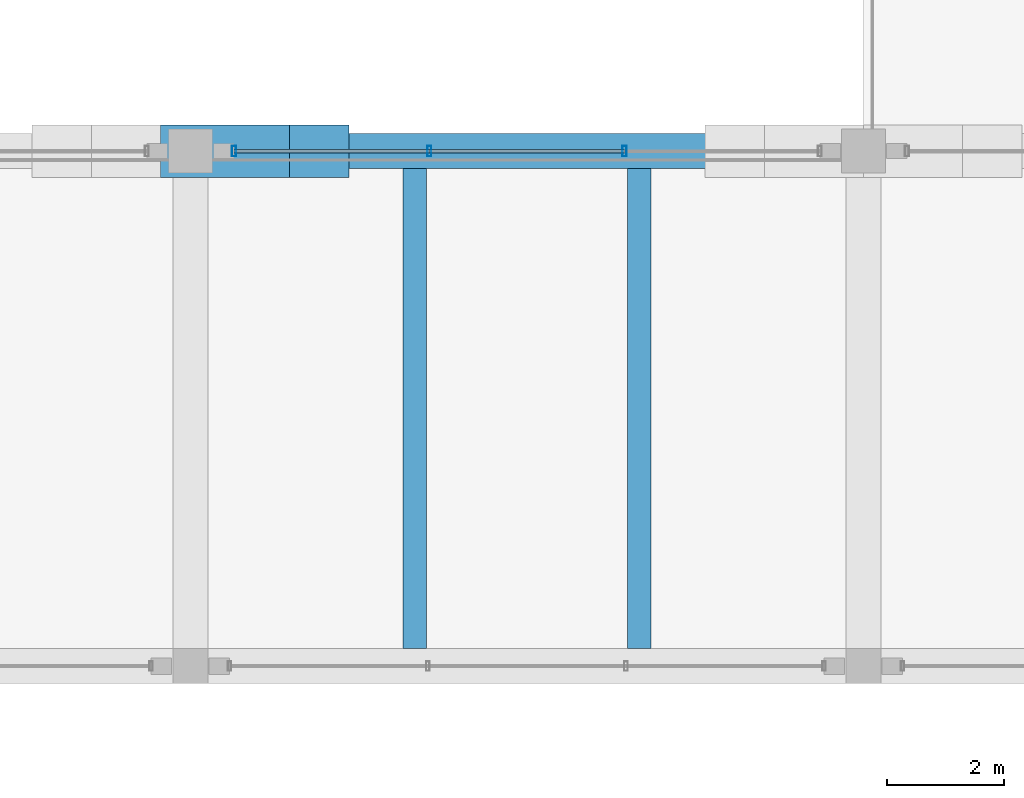
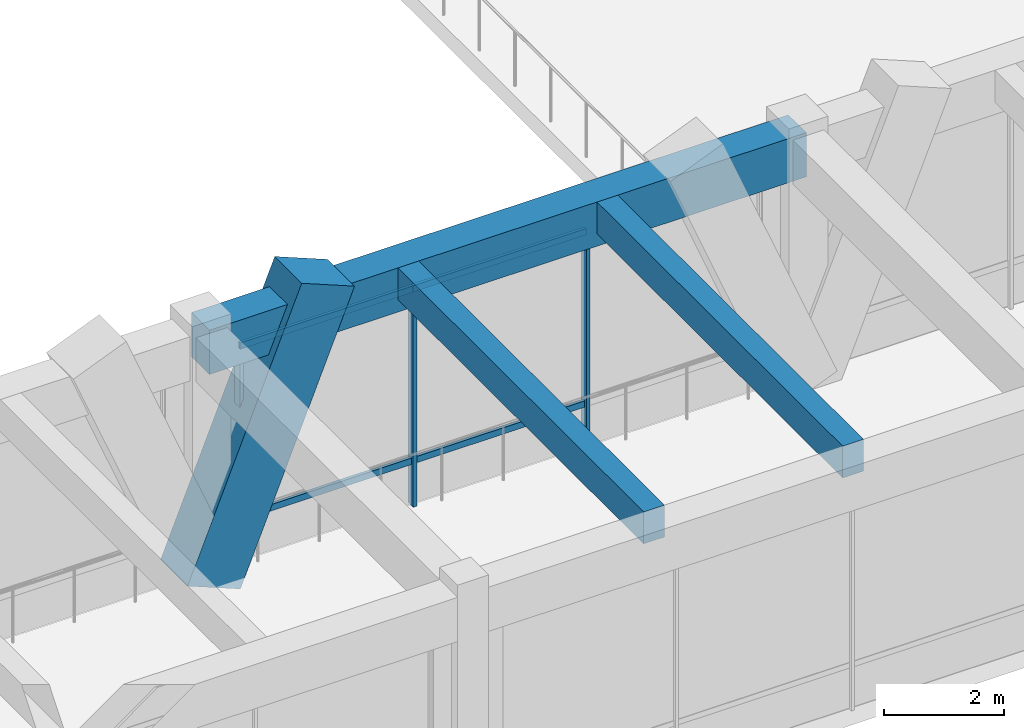
# One storey, part 13 of 148: 8 members, 3 beams, 1 element without a shape of its own.
"""IFC4 building model written with IfcOpenShell, lengths in metres."""

from ifc_helpers import new_model, si_unit, direction, frame, origin, origin_2d, place, context, subcontext, project, spatial, rectangle, hollow_rectangle, extrude, material, material_profile, profile_set, type_object, element, aggregate, save


model = new_model("IFC4")

# Units and contexts
model_context = context("Model", 3, precision=1e-05, world=origin(), true_north=direction((0.0, 1.0)))
body_context = subcontext(model_context, "Body", "Model", "MODEL_VIEW")
ifc_project = project(units=[si_unit("LENGTHUNIT", "METRE"), si_unit("AREAUNIT", "SQUARE_METRE"), si_unit("VOLUMEUNIT", "CUBIC_METRE"), si_unit("PLANEANGLEUNIT", "RADIAN"), si_unit("MASSUNIT", "GRAM", prefix="KILO")], contexts=[model_context])

# Site, building, storey
site_placement = place(None, origin())
site = spatial("IfcSite", under=ifc_project, at=site_placement, CompositionType="ELEMENT")
building_placement = place(site_placement, origin())
building = spatial("IfcBuilding", under=site, at=building_placement, Name="Ologun Quay Terminus", CompositionType="ELEMENT")
storey_placement = place(building_placement, frame((0.0, 0.0, 8.39990234375)))
storey = spatial("IfcBuildingStorey", under=building, at=storey_placement, Name="L02", CompositionType="ELEMENT", Elevation=8.39990234375)

# Curtain wall, members
ifc_material_1 = material(Name="Aluminium 6063-T6", Category="aluminium")
curtain_wall_type = type_object("IfcCurtainWallType", Name="Train Shed South Clerestory Curtain Wall 10700x5050", PredefinedType="USERDEFINED", material=ifc_material_1)
curtain_wall_placement = place(storey_placement, origin())
curtain_wall = element("IfcCurtainWall", 1, at=curtain_wall_placement, inside=storey, type_object=curtain_wall_type, Name="CW-08 Curtain Wall CW-L02-048", ObjectType="UNITISED CURTAIN WALL", PredefinedType="USERDEFINED")
ifc_material_2 = material(Name="Aluminium 6063-T6", Category="aluminium")
ifc_material_profile_1 = material_profile(ifc_material_2, hollow_rectangle(XDim=0.070068359375, YDim=0.179931640625, WallThickness=0.0048828125, at=origin_2d()), Name="ALU 180x70x5")
ifc_profile_set_1 = profile_set([ifc_material_profile_1], Name="Aluminium 6063-T6")
member_type_1 = type_object("IfcMemberType", Name="Concourse Clerestory Mullion 180x70", PredefinedType="MULLION", material=ifc_profile_set_1)
member_1_placement = place(storey_placement, frame((23.7451171875, 36.0, 0.0), z_axis=(0.0, 0.0, 1.0), x_axis=(1.0, 0.0, 0.0)))
member_1 = element("IfcMember", 2, at=member_1_placement, type_object=member_type_1, Name="CW-L02-048 Mullion 1", PredefinedType="MULLION", context=body_context, shape_type="SweptSolid", body=[
    extrude(hollow_rectangle(XDim=0.070068359375, YDim=0.179931640625, WallThickness=0.0048828125, at=origin_2d()), origin(), (0.0, 0.0, 1.0), 5.10009765625),
])
member_2_placement = place(storey_placement, frame((27.081787109375, 36.0, 0.0), z_axis=(0.0, 0.0, 1.0), x_axis=(1.0, 0.0, 0.0)))
member_2 = element("IfcMember", 3, at=member_2_placement, type_object=member_type_1, Name="CW-L02-048 Mullion 2", PredefinedType="MULLION", context=body_context, shape_type="SweptSolid", body=[
    extrude(hollow_rectangle(XDim=0.070068359375, YDim=0.179931640625, WallThickness=0.0048828125, at=origin_2d()), origin(), (0.0, 0.0, 1.0), 5.10009765625),
])
member_3_placement = place(storey_placement, frame((30.418212890625, 36.0, 0.0), z_axis=(0.0, 0.0, 1.0), x_axis=(1.0, 0.0, 0.0)))
member_3 = element("IfcMember", 4, at=member_3_placement, type_object=member_type_1, Name="CW-L02-048 Mullion 3", PredefinedType="MULLION", context=body_context, shape_type="SweptSolid", body=[
    extrude(hollow_rectangle(XDim=0.070068359375, YDim=0.179931640625, WallThickness=0.0048828125, at=origin_2d()), origin(), (0.0, 0.0, 1.0), 5.10009765625),
])
ifc_material_3 = material(Name="Aluminium 6063-T6", Category="aluminium")
ifc_material_profile_2 = material_profile(ifc_material_3, hollow_rectangle(XDim=0.06005859375, YDim=0.1298828125, WallThickness=0.00390625, at=origin_2d()), Name="ALU 130x60x4")
ifc_profile_set_2 = profile_set([ifc_material_profile_2], Name="Aluminium 6063-T6")
member_type_2 = type_object("IfcMemberType", Name="Concourse Clerestory Transom 130x60", PredefinedType="USERDEFINED", material=ifc_profile_set_2)
member_4_placement = place(storey_placement, frame((23.7451171875, 36.0, 0.900146484375), z_axis=(1.0, 0.0, 0.0), x_axis=(0.0, 1.0, 0.0)))
member_4 = element("IfcMember", 5, at=member_4_placement, type_object=member_type_2, Name="CW-L02-048 Transom B1-1", ObjectType="TRANSOM", PredefinedType="USERDEFINED", context=body_context, shape_type="SweptSolid", body=[
    extrude(hollow_rectangle(XDim=0.06005859375, YDim=0.1298828125, WallThickness=0.00390625, at=origin_2d()), origin(), (0.0, 0.0, 1.0), 3.336669921875),
])
member_5_placement = place(storey_placement, frame((23.7451171875, 36.0, 4.400146484375), z_axis=(1.0, 0.0, 0.0), x_axis=(0.0, 1.0, 0.0)))
member_5 = element("IfcMember", 6, at=member_5_placement, type_object=member_type_2, Name="CW-L02-048 Transom B1-2", ObjectType="TRANSOM", PredefinedType="USERDEFINED", context=body_context, shape_type="SweptSolid", body=[
    extrude(hollow_rectangle(XDim=0.06005859375, YDim=0.1298828125, WallThickness=0.00390625, at=origin_2d()), origin(), (0.0, 0.0, 1.0), 3.336669921875),
])
member_6_placement = place(storey_placement, frame((27.081787109375, 36.0, 0.900146484375), z_axis=(1.0, 0.0, 0.0), x_axis=(0.0, 1.0, 0.0)))
member_6 = element("IfcMember", 7, at=member_6_placement, type_object=member_type_2, Name="CW-L02-048 Transom B2-1", ObjectType="TRANSOM", PredefinedType="USERDEFINED", context=body_context, shape_type="SweptSolid", body=[
    extrude(hollow_rectangle(XDim=0.06005859375, YDim=0.1298828125, WallThickness=0.00390625, at=origin_2d()), origin(), (0.0, 0.0, 1.0), 3.33642578125),
])
member_7_placement = place(storey_placement, frame((27.081787109375, 36.0, 4.400146484375), z_axis=(1.0, 0.0, 0.0), x_axis=(0.0, 1.0, 0.0)))
member_7 = element("IfcMember", 8, at=member_7_placement, type_object=member_type_2, Name="CW-L02-048 Transom B2-2", ObjectType="TRANSOM", PredefinedType="USERDEFINED", context=body_context, shape_type="SweptSolid", body=[
    extrude(hollow_rectangle(XDim=0.06005859375, YDim=0.1298828125, WallThickness=0.00390625, at=origin_2d()), origin(), (0.0, 0.0, 1.0), 3.33642578125),
])
aggregate(curtain_wall, [member_1, member_2, member_3, member_4, member_5, member_6, member_7])

# Member
ifc_material_4 = material(Name="Concrete C45/55", Category="concrete")
ifc_material_profile_3 = material_profile(ifc_material_4, rectangle(XDim=0.89990234375, YDim=1.10009765625, at=origin_2d()), Name="RC 900x1100")
ifc_profile_set_3 = profile_set([ifc_material_profile_3], Name="Concrete C45/55")
member_type_3 = type_object("IfcMemberType", Name="Sculpted Concrete Arch V-Buttress Strut 900x1100", PredefinedType="STRUT", material=ifc_profile_set_3)
member_8_placement = place(storey_placement, frame((23.0, 36.0, 0.0), z_axis=(0.377280927807, 0.0, 0.926098861631), x_axis=(0.0, 1.0, 0.0)))
element("IfcMember", 9, at=member_8_placement, inside=storey, type_object=member_type_3, Name="VS1 Arch V-Buttress East Limb 3/E", PredefinedType="STRUT", context=body_context, shape_type="SweptSolid", body=[
    extrude(rectangle(XDim=0.89990234375, YDim=1.10009765625, at=origin_2d()), origin(), (0.0, 0.0, 1.0), 5.8310546875),
])

# Beams
ifc_material_5 = material(Name="Concrete C40/50", Category="concrete")
ifc_material_profile_4 = material_profile(ifc_material_5, rectangle(XDim=0.60009765625, YDim=0.89990234375, at=origin_2d()), Name="RC 600x900")
ifc_profile_set_4 = profile_set([ifc_material_profile_4], Name="Concrete C40/50")
beam_type_1 = type_object("IfcBeamType", Name="Station Frame Girder 600x900", PredefinedType="BEAM", material=ifc_profile_set_4)
beam_placement = place(storey_placement, frame((23.0, 36.0, 4.7001953125), z_axis=(1.0, 0.0, 0.0), x_axis=(0.0, 1.0, 0.0)))
element("IfcBeam", 10, at=beam_placement, inside=storey, type_object=beam_type_1, Name="B3 Beam 3/E L02", PredefinedType="BEAM", context=body_context, shape_type="SweptSolid", body=[
    extrude(rectangle(XDim=0.60009765625, YDim=0.89990234375, at=origin_2d()), origin(), (0.0, 0.0, 1.0), 11.5),
])
ifc_material_6 = material(Name="Concrete C40/50", Category="concrete")
ifc_material_profile_5 = material_profile(ifc_material_6, rectangle(XDim=0.39990234375, YDim=0.64990234375, at=origin_2d()), Name="RC 400x650")
ifc_profile_set_5 = profile_set([ifc_material_profile_5], Name="Concrete C40/50")
beam_type_2 = type_object("IfcBeamType", Name="Station Secondary Joist 400x650", PredefinedType="JOIST", material=ifc_profile_set_5)
for number, where, z_axis, x_axis, name in (
    (11, (26.833251953125, 27.5, 4.8251953125), (0.0, 1.0, 0.0), (-1.0, 0.0, 0.0), "J1 Beam 3/D L02"),
    (12, (30.666748046875, 27.5, 4.8251953125), (0.0, 1.0, 0.0), (-1.0, 0.0, 0.0), "J1 Beam 3/D L02"),
):
    element("IfcBeam", number, at=place(storey_placement, frame(where, z_axis=z_axis, x_axis=x_axis)), inside=storey, type_object=beam_type_2, Name=name, PredefinedType="JOIST", context=body_context, shape_type="SweptSolid", body=[
        extrude(rectangle(XDim=0.39990234375, YDim=0.64990234375, at=origin_2d()), origin(), (0.0, 0.0, 1.0), 8.199951171875),
    ])

save(model, "model.ifc")
